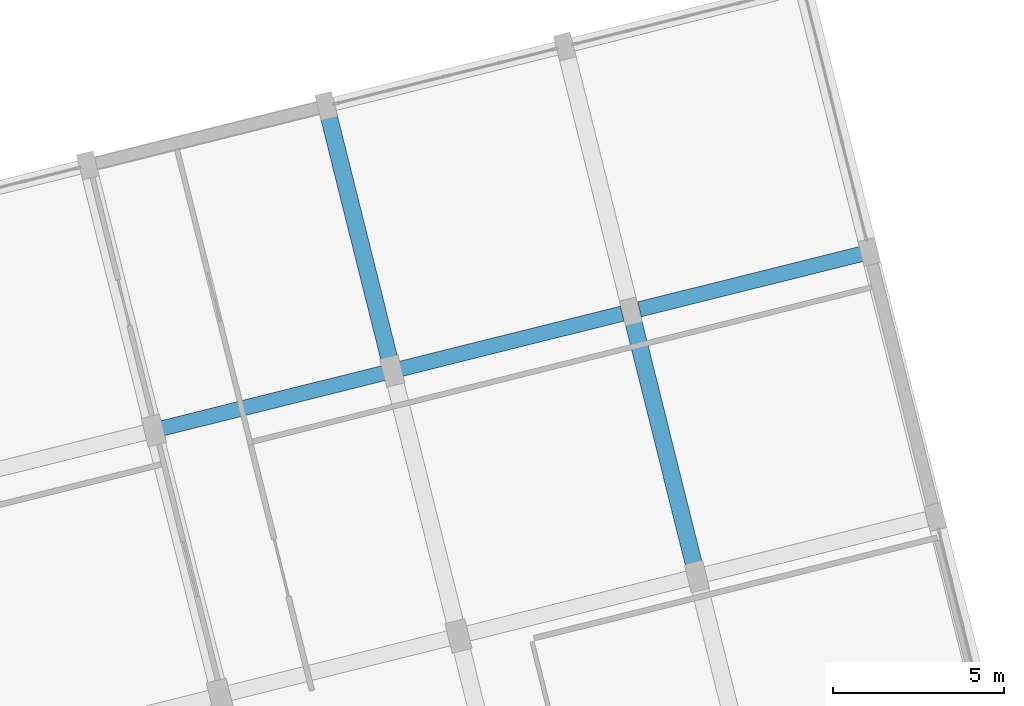
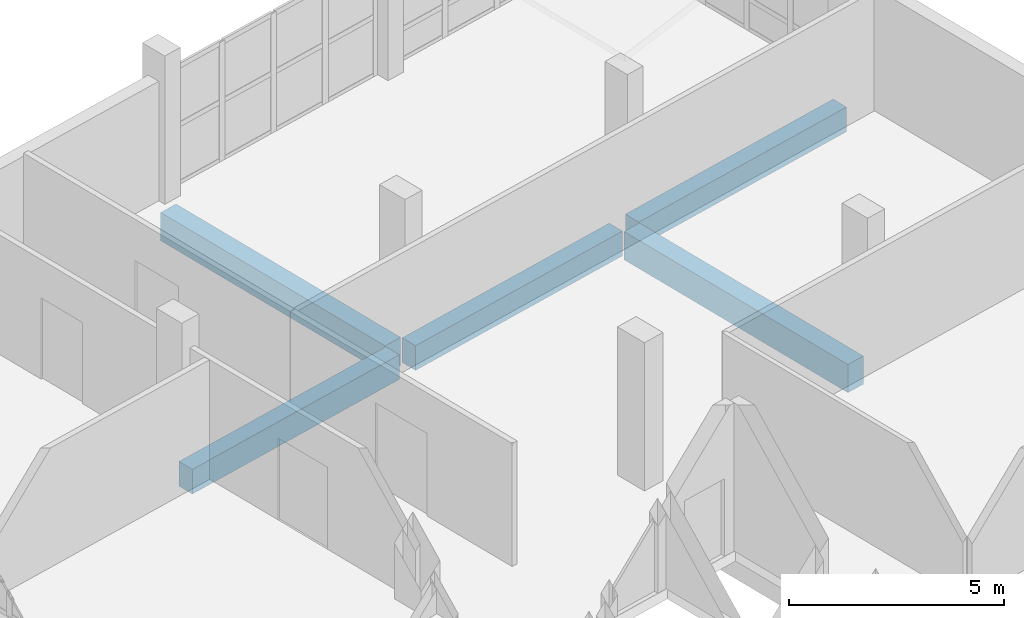
# One storey, part 115 of 164: 5 beams.
"""IFC4 building model written with IfcOpenShell, lengths in metres."""

from ifc_helpers import new_model, si_unit, direction, frame, origin, origin_2d, place, context, subcontext, project, spatial, rectangle, extrude, material, material_profile, profile_set, type_object, element, save


model = new_model("IFC4")

# Units and contexts
model_context = context("Model", 3, precision=1e-05, world=origin(), true_north=direction((0.0, 1.0)))
body_context = subcontext(model_context, "Body", "Model", "MODEL_VIEW")
ifc_project = project(units=[si_unit("LENGTHUNIT", "METRE"), si_unit("AREAUNIT", "SQUARE_METRE"), si_unit("VOLUMEUNIT", "CUBIC_METRE"), si_unit("PLANEANGLEUNIT", "RADIAN"), si_unit("MASSUNIT", "GRAM", prefix="KILO")], contexts=[model_context])

# Site, building, storey
site_placement = place(None, origin())
site = spatial("IfcSite", under=ifc_project, at=site_placement, CompositionType="ELEMENT")
building_placement = place(site_placement, origin())
building = spatial("IfcBuilding", under=site, at=building_placement, Name="Mawjan Specialist Oncology Clinic", CompositionType="ELEMENT")
storey_placement = place(building_placement, frame((0.0, 0.0, 5.0)))
storey = spatial("IfcBuildingStorey", under=building, at=storey_placement, Name="L01", CompositionType="ELEMENT", Elevation=5.0)

# Beams
ifc_material_1 = material(Name="Concrete C40/50", Category="concrete")
ifc_material_profile_1 = material_profile(ifc_material_1, rectangle(XDim=0.449951171875, YDim=0.699951171875, at=origin_2d()), Name="RC BM 450x700", Category="concrete")
ifc_profile_set_1 = profile_set([ifc_material_profile_1], Name="Concrete C40/50")
beam_type_1 = type_object("IfcBeamType", Name="BM-450x700", PredefinedType="BEAM", material=ifc_profile_set_1)
beam_1_placement = place(storey_placement, frame((125.496826171875, 33.654296875, -0.64990234375), z_axis=(0.970299236251, 0.241907817422, 0.0), x_axis=(-0.241907817422, 0.970299236251, 0.0)))
element("IfcBeam", 1, at=beam_1_placement, inside=storey, type_object=beam_type_1, Name="L01 Collector Beam BM-L01-0605", PredefinedType="BEAM", context=body_context, shape_type="SweptSolid", body=[
    extrude(rectangle(XDim=0.449951171875, YDim=0.699951171875, at=origin_2d()), origin(), (0.0, 0.0, 1.0), 6.68017578125),
])
beam_2_placement = place(storey_placement, frame((132.483154296875, 35.39599609375, -0.64990234375), z_axis=(0.970297097401, 0.241916396252, 0.0), x_axis=(-0.241916396252, 0.970297097401, 0.0)))
element("IfcBeam", 2, at=beam_2_placement, inside=storey, type_object=beam_type_1, Name="L01 Collector Beam BM-L01-0606", PredefinedType="BEAM", context=body_context, shape_type="SweptSolid", body=[
    extrude(rectangle(XDim=0.449951171875, YDim=0.699951171875, at=origin_2d()), origin(), (0.0, 0.0, 1.0), 6.679931640625),
])
beam_3_placement = place(storey_placement, frame((139.46923828125, 37.137939453125, -0.64990234375), z_axis=(0.970296517902, 0.24191872054, 0.0), x_axis=(-0.24191872054, 0.970296517902, 0.0)))
element("IfcBeam", 3, at=beam_3_placement, inside=storey, type_object=beam_type_1, Name="L01 Collector Beam BM-L01-0607", PredefinedType="BEAM", context=body_context, shape_type="SweptSolid", body=[
    extrude(rectangle(XDim=0.449951171875, YDim=0.699951171875, at=origin_2d()), origin(), (0.0, 0.0, 1.0), 6.705078125),
])
ifc_material_2 = material(Name="Concrete C45/55", Category="concrete")
ifc_material_profile_2 = material_profile(ifc_material_2, rectangle(XDim=0.5, YDim=0.800048828125, at=origin_2d()), Name="RC BM 500x800", Category="concrete")
ifc_profile_set_2 = profile_set([ifc_material_profile_2], Name="Concrete C45/55")
beam_type_2 = type_object("IfcBeamType", Name="BM-500x800", PredefinedType="BEAM", material=ifc_profile_set_2)
beam_4_placement = place(storey_placement, frame((132.16796875, 35.58544921875, -0.699951171875), z_axis=(-0.241930889434, 0.970293483817, 0.0), x_axis=(-0.970293483817, -0.241930889434, 0.0)))
element("IfcBeam", 4, at=beam_4_placement, inside=storey, type_object=beam_type_2, Name="L01 Collector Beam BM-L01-0624", PredefinedType="BEAM", context=body_context, shape_type="SweptSolid", body=[
    extrude(rectangle(XDim=0.5, YDim=0.800048828125, at=origin_2d()), origin(), (0.0, 0.0, 1.0), 7.5048828125),
])
beam_5_placement = place(storey_placement, frame((141.08935546875, 29.56494140625, -0.699951171875), z_axis=(-0.241921192876, 0.970295901485, 0.0), x_axis=(-0.970295901485, -0.241921192876, 0.0)))
element("IfcBeam", 5, at=beam_5_placement, inside=storey, type_object=beam_type_2, Name="L01 Collector Beam BM-L01-0628", PredefinedType="BEAM", context=body_context, shape_type="SweptSolid", body=[
    extrude(rectangle(XDim=0.5, YDim=0.800048828125, at=origin_2d()), origin(), (0.0, 0.0, 1.0), 7.47998046875),
])

save(model, "model.ifc")
